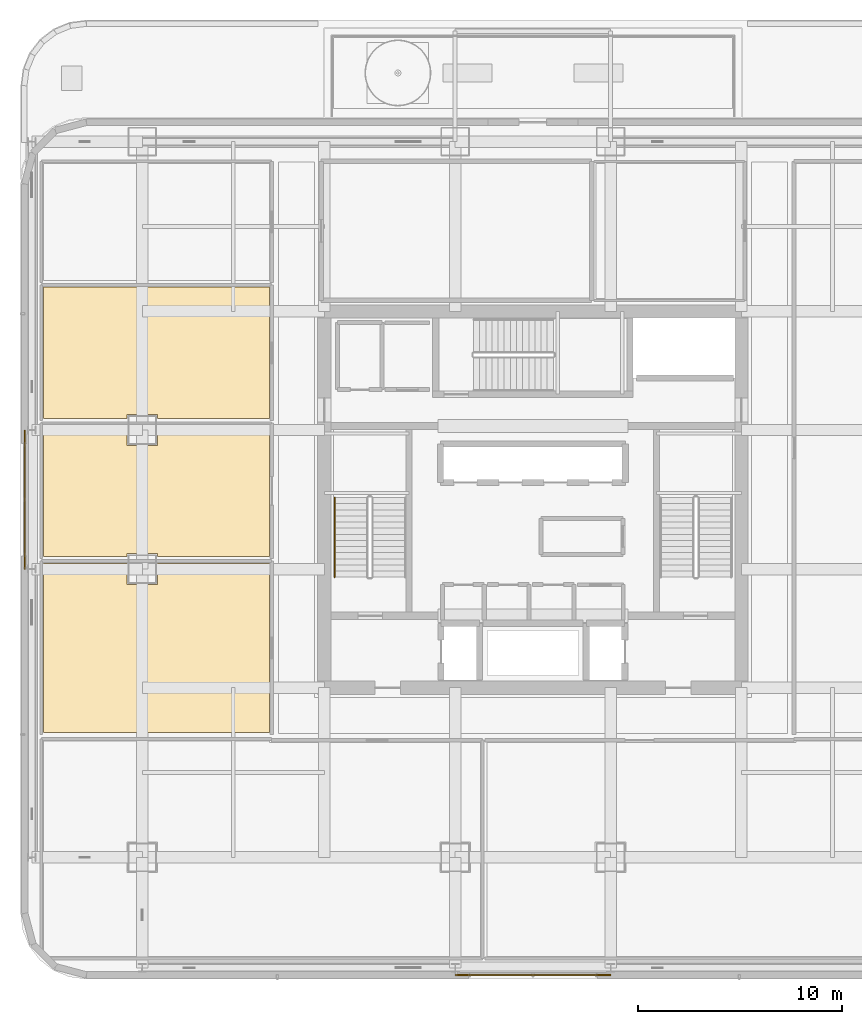
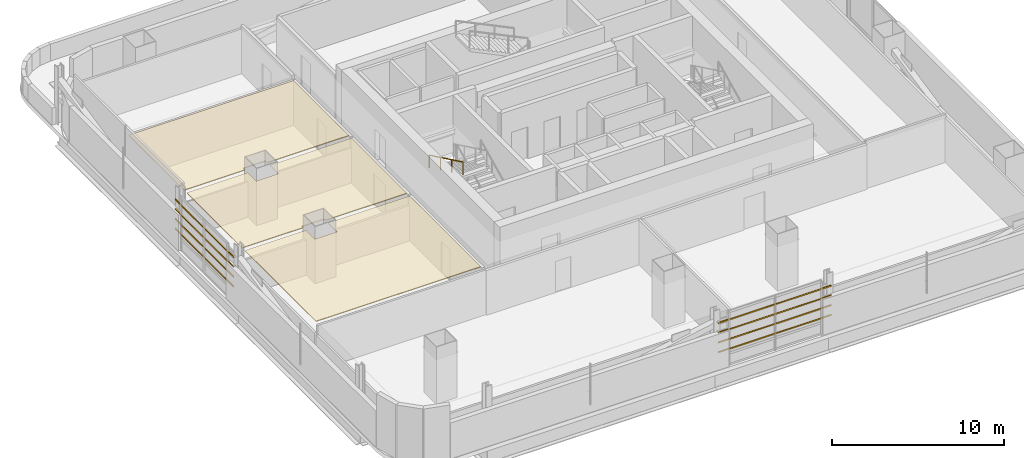
# One storey, part 19 of 29: 8 shading devices, 3 coverings, 1 railing.
"""IFC4 building model written with IfcOpenShell, lengths in metres."""

from ifc_helpers import new_model, si_unit, direction, frame, origin, origin_2d, place, context, subcontext, project, spatial, polyline, hollow_rectangle, circle, outline, extrude, material, layer, layer_set, material_profile, profile_set, type_object, element, save


model = new_model("IFC4")

# Units and contexts
model_context = context("Model", 3, precision=1e-05, world=origin(), true_north=direction((0.0, 1.0)))
body_context = subcontext(model_context, "Body", "Model", "MODEL_VIEW")
ifc_project = project(units=[si_unit("LENGTHUNIT", "METRE"), si_unit("AREAUNIT", "SQUARE_METRE"), si_unit("VOLUMEUNIT", "CUBIC_METRE"), si_unit("PLANEANGLEUNIT", "RADIAN"), si_unit("MASSUNIT", "GRAM", prefix="KILO")], contexts=[model_context])

# Site, building, storey
site_placement = place(None, origin())
site = spatial("IfcSite", under=ifc_project, at=site_placement, CompositionType="ELEMENT")
building_placement = place(site_placement, origin())
building = spatial("IfcBuilding", under=site, at=building_placement, Name="Punatoya Terracotta Tower", CompositionType="ELEMENT")
storey_placement = place(building_placement, frame((0.0, 0.0, 172.199951171875)))
storey = spatial("IfcBuildingStorey", under=building, at=storey_placement, Name="L40", CompositionType="ELEMENT", Elevation=172.199951171875)

# Coverings
ifc_material_1 = material(Name="Acoustic Mineral Fibre Ceiling")
ifc_layer = layer(ifc_material_1, 0.06005859375)
ifc_layer_set = layer_set([ifc_layer], Name="Acoustic Mineral Fibre Ceiling")
covering_type = type_object("IfcCoveringType", Name="COV-CEIL-60", PredefinedType="CEILING", material=ifc_layer_set)
covering_1_placement = place(storey_placement, frame((0.0, 0.0, 3.16015625)))
element("IfcCovering", 1, at=covering_1_placement, inside=storey, type_object=covering_type, Name="L40 Open-Plan Graphic Design Workplace Acoustic Ceiling", PredefinedType="CEILING", context=body_context, shape_type="SweptSolid", body=[
    extrude(outline(polyline([(-23.93994140625, -3.114013671875), (-23.93994140625, -11.389892578125), (-12.8701171875, -11.389892578125), (-12.8701171875, -3.114013671875), (-18.35009765625, -3.114013671875), (-18.35009765625, -4.14990234375), (-19.85009765625, -4.14990234375), (-19.85009765625, -3.114013671875), (-23.93994140625, -3.114013671875)])), origin(), (0.0, 0.0, 1.0), 0.059814453125),
])
covering_2_placement = place(storey_placement, frame((0.0, 0.0, 3.16015625)))
element("IfcCovering", 2, at=covering_2_placement, inside=storey, type_object=covering_type, Name="L40 Open-Plan Press Briefing Room Acoustic Ceiling", PredefinedType="CEILING", context=body_context, shape_type="SweptSolid", body=[
    extrude(outline(polyline([(-18.35009765625, -2.64990234375), (-18.35009765625, -2.7939453125), (-12.8701171875, -2.7939453125), (-12.8701171875, 3.639892578125), (-18.35009765625, 3.639892578125), (-18.35009765625, 2.64990234375), (-19.85009765625, 2.64990234375), (-19.85009765625, 3.639892578125), (-23.93994140625, 3.639892578125), (-23.93994140625, -2.7939453125), (-19.85009765625, -2.7939453125), (-19.85009765625, -2.64990234375), (-18.35009765625, -2.64990234375)])), origin(), (0.0, 0.0, 1.0), 0.059814453125),
])
covering_3_placement = place(storey_placement, frame((0.0, 0.0, 3.16015625)))
element("IfcCovering", 3, at=covering_3_placement, inside=storey, type_object=covering_type, Name="L40 Acoustic Wellness Room Acoustic Ceiling", PredefinedType="CEILING", context=body_context, shape_type="SweptSolid", body=[
    extrude(outline(polyline([(-18.35009765625, 4.14990234375), (-18.35009765625, 3.9599609375), (-12.8701171875, 3.9599609375), (-12.8701171875, 10.39404296875), (-23.93994140625, 10.39404296875), (-23.93994140625, 3.9599609375), (-19.85009765625, 3.9599609375), (-19.85009765625, 4.14990234375), (-18.35009765625, 4.14990234375)])), origin(), (0.0, 0.0, 1.0), 0.059814453125),
])

# Railing
ifc_material_2 = material(Name="Steel S355", Category="steel")
railing_type = type_object("IfcRailingType", Name="RLG-HND-900", PredefinedType="HANDRAIL", material=ifc_material_2)
railing_placement = place(storey_placement, frame((-9.699951171875, 0.10009765625, 2.169677734375)))
element("IfcRailing", 4, at=railing_placement, inside=storey, type_object=railing_type, Name="L40 ST-1 stair handrail 2", PredefinedType="HANDRAIL", context=body_context, shape_type="SweptSolid", body=[
    extrude(circle(Radius=0.02392578125, at=origin_2d()), frame((0.0, 0.0, 0.8759765625), z_axis=(0.0, -0.900773802044, 0.434288564841), x_axis=(1.0, 0.0, 0.0)), (0.0, 0.0, 1.0), 4.329833984375),
    extrude(circle(Radius=0.02099609375, at=origin_2d()), origin(), (0.0, 0.0, 1.0), 0.851806640625),
    extrude(circle(Radius=0.02099609375, at=origin_2d()), frame((0.0, -1.300048828125, 0.626708984375)), (0.0, 0.0, 1.0), 0.851806640625),
    extrude(circle(Radius=0.02099609375, at=origin_2d()), frame((0.0, -2.60009765625, 1.253662109375)), (0.0, 0.0, 1.0), 0.851806640625),
    extrude(circle(Radius=0.02099609375, at=origin_2d()), frame((0.0, -3.900146484375, 1.88037109375)), (0.0, 0.0, 1.0), 0.851806640625),
])

# Shading devices
ifc_material_3 = material(Name="Architectural Fired Terracotta", Category="masonry")
ifc_material_profile = material_profile(ifc_material_3, hollow_rectangle(XDim=0.06005859375, YDim=0.090087890625, WallThickness=0.013916015625, at=origin_2d()))
ifc_profile_set = profile_set([ifc_material_profile], Name="Architectural Fired Terracotta")
shading_device_type = type_object("IfcShadingDeviceType", Name="SHD-JALI-90", PredefinedType="JALOUSIE", material=ifc_profile_set)
for number, where, z_axis, x_axis, name in (
    (5, (-3.800048828125, -23.25244140625, 1.150146484375), (1.0, 0.0, 0.0), (0.0, 1.0, 0.0), "L40 Fired Terracotta Baguette Louvre BAG-L40-S-01"),
    (6, (-3.800048828125, -23.25244140625, 1.84326171875), (1.0, 0.0, 0.0), (0.0, 1.0, 0.0), "L40 Fired Terracotta Baguette Louvre BAG-L40-S-02"),
    (7, (-3.800048828125, -23.25244140625, 2.536865234375), (1.0, 0.0, 0.0), (0.0, 1.0, 0.0), "L40 Fired Terracotta Baguette Louvre BAG-L40-S-03"),
    (8, (-3.800048828125, -23.25244140625, 3.22998046875), (1.0, 0.0, 0.0), (0.0, 1.0, 0.0), "L40 Fired Terracotta Baguette Louvre BAG-L40-S-04"),
):
    element("IfcShadingDevice", number, at=place(storey_placement, frame(where, z_axis=z_axis, x_axis=x_axis)), inside=storey, type_object=shading_device_type, Name=name, PredefinedType="JALOUSIE", context=body_context, shape_type="SweptSolid", body=[
        extrude(hollow_rectangle(XDim=0.06005859375, YDim=0.090087890625, WallThickness=0.013916015625, at=origin_2d()), origin(), (0.0, 0.0, 1.0), 7.60009765625),
    ])
for number, where, z_axis, x_axis, name in (
    (9, (-24.8525390625, -3.39990234375, 1.150146484375), (0.0, 1.0, 0.0), (-1.0, 0.0, 0.0), "L40 Fired Terracotta Baguette Louvre BAG-L40-W-01"),
    (10, (-24.8525390625, -3.39990234375, 1.84326171875), (0.0, 1.0, 0.0), (-1.0, 0.0, 0.0), "L40 Fired Terracotta Baguette Louvre BAG-L40-W-02"),
    (11, (-24.8525390625, -3.39990234375, 2.536865234375), (0.0, 1.0, 0.0), (-1.0, 0.0, 0.0), "L40 Fired Terracotta Baguette Louvre BAG-L40-W-03"),
    (12, (-24.8525390625, -3.39990234375, 3.22998046875), (0.0, 1.0, 0.0), (-1.0, 0.0, 0.0), "L40 Fired Terracotta Baguette Louvre BAG-L40-W-04"),
):
    element("IfcShadingDevice", number, at=place(storey_placement, frame(where, z_axis=z_axis, x_axis=x_axis)), inside=storey, type_object=shading_device_type, Name=name, PredefinedType="JALOUSIE", context=body_context, shape_type="SweptSolid", body=[
        extrude(hollow_rectangle(XDim=0.06005859375, YDim=0.090087890625, WallThickness=0.013916015625, at=origin_2d()), origin(), (0.0, 0.0, 1.0), 6.7998046875),
    ])

save(model, "model.ifc")
